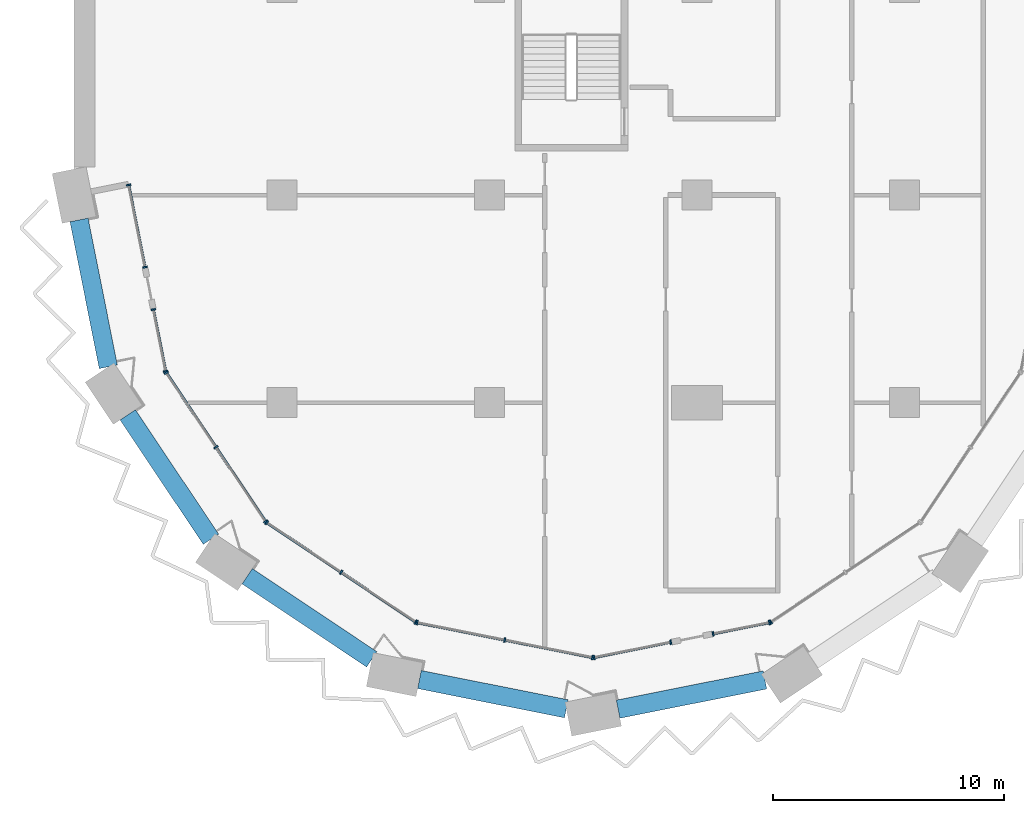
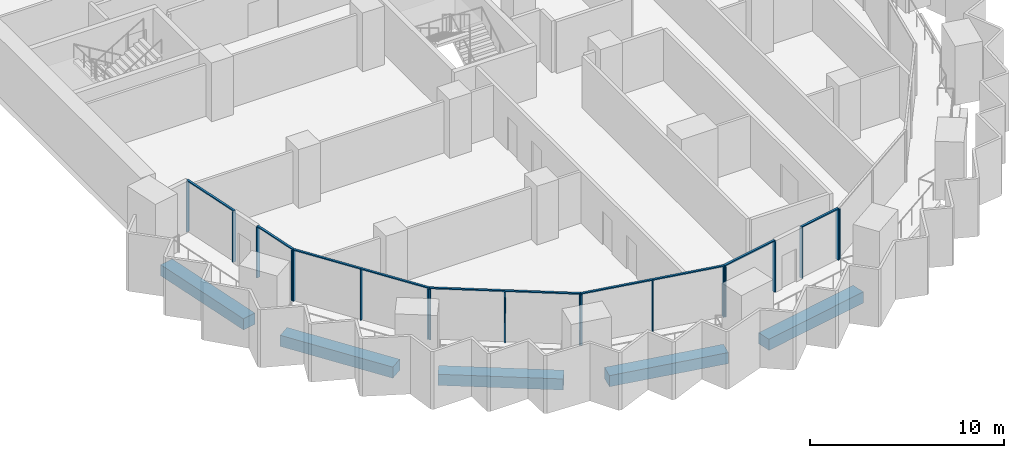
# One storey, part 2 of 23: 25 members, 5 beams, 8 elements without a shape of their own.
"""IFC4 building model written with IfcOpenShell, lengths in metres."""

import ifcopenshell
import ifcopenshell.guid

model = None  # the IFC model being written
_history = None  # IfcOwnerHistory: only IFC2X3 demands one
_inside = {}  # id of a spatial element -> (the spatial element, [elements in it])
_under = {}  # id of a project, library or spatial element -> (it, [spatial elements below it])
_declared = {}  # id of a project -> (the project, [libraries it declares])
_typed = {}  # id of a type object -> (the type object, [elements of that type])
_made_of = {}  # id of a material, layer set ... -> (it, [elements and type objects made of it])


def new_model(schema):
    """Start an empty IFC model of exactly this schema.

    Asked for "IFC4X3", IfcOpenShell would pick the latest addendum, in which some entities
    have other attributes; the version numbers below select the first issue.
    IFC2X3 requires an IfcOwnerHistory on every rooted entity: one is made here for all.
    """
    global model, _history
    if schema == "IFC4X3":
        model = ifcopenshell.file(schema_version=(4, 3, 0, 0))
    else:
        model = ifcopenshell.file(schema=schema)
    _inside.clear()
    _under.clear()
    _declared.clear()
    _typed.clear()
    _made_of.clear()
    _history = None
    if model.schema == "IFC2X3":
        org = make("IfcOrganization", Name="unknown")
        user = make(
            "IfcPersonAndOrganization",
            ThePerson=make("IfcPerson", FamilyName="unknown"),
            TheOrganization=org,
        )
        app = make(
            "IfcApplication",
            ApplicationDeveloper=org,
            Version="unknown",
            ApplicationFullName="unknown",
            ApplicationIdentifier="unknown",
        )
        _history = make(
            "IfcOwnerHistory",
            OwningUser=user,
            OwningApplication=app,
            ChangeAction="ADDED",
            CreationDate=0,
        )
    return model


def make(cls, **values):
    """One entity of the class cls with the attributes given. An attribute that is None is left unset."""
    return model.create_entity(
        cls, **{name: value for name, value in values.items() if value is not None}
    )


def rooted(cls, **values):
    """An entity with a GlobalId (a new one), such as an element, a storey or a relation."""
    return make(cls, GlobalId=ifcopenshell.guid.new(), OwnerHistory=_history, **values)


def si_unit(unit_type, name, prefix=None):
    """IfcSIUnit, for example si_unit("LENGTHUNIT", "METRE", prefix="MILLI")."""
    return make("IfcSIUnit", UnitType=unit_type, Prefix=prefix, Name=name)


def assignment(units):
    """IfcUnitAssignment: the units of a project."""
    return None if units is None else make("IfcUnitAssignment", Units=units)


def point(xyz):
    """IfcCartesianPoint."""
    return None if xyz is None else make("IfcCartesianPoint", Coordinates=xyz)


def direction(xyz):
    """IfcDirection."""
    return None if xyz is None else make("IfcDirection", DirectionRatios=xyz)


def frame(location, z_axis=None, x_axis=None):
    """IfcAxis2Placement3D, a coordinate frame: its origin and axes. An axis left out is left unset."""
    return make(
        "IfcAxis2Placement3D",
        Location=point(location),
        Axis=direction(z_axis),
        RefDirection=direction(x_axis),
    )


def frame_2d(location, x_axis=None):
    """IfcAxis2Placement2D, a coordinate frame in the plane: its origin and x axis."""
    return make(
        "IfcAxis2Placement2D", Location=point(location), RefDirection=direction(x_axis)
    )


def origin():
    """The frame at (0, 0, 0) with its axes left unset."""
    return frame((0.0, 0.0, 0.0))


def origin_2d():
    """The frame at (0, 0) in the plane with its x axis left unset."""
    return frame_2d((0.0, 0.0))


def place(relative_to, where):
    """IfcLocalPlacement: puts the frame where relative to a parent placement (None: the world)."""
    return make(
        "IfcLocalPlacement", PlacementRelTo=relative_to, RelativePlacement=where
    )


def context(
    kind, dimensions, precision=None, world=None, true_north=None, identifier=None
):
    """IfcGeometricRepresentationContext, for example the 3D "Model" context."""
    return make(
        "IfcGeometricRepresentationContext",
        ContextIdentifier=identifier,
        ContextType=kind,
        CoordinateSpaceDimension=dimensions,
        Precision=precision,
        WorldCoordinateSystem=world,
        TrueNorth=true_north,
    )


def subcontext(parent, identifier, kind, view, scale=None):
    """IfcGeometricRepresentationSubContext, for example "Body" below "Model"."""
    return make(
        "IfcGeometricRepresentationSubContext",
        ContextIdentifier=identifier,
        ContextType=kind,
        ParentContext=parent,
        TargetScale=scale,
        TargetView=view,
    )


def project(units=None, contexts=None):
    """IfcProject with its units and contexts."""
    return rooted(
        "IfcProject",
        Name="project",
        RepresentationContexts=contexts,
        UnitsInContext=assignment(units),
    )


def spatial(cls, under=None, at=None, **own):
    """A site, building, storey or space (cls), placed at a placement, below another one or the project."""
    s = rooted(cls, ObjectPlacement=at, **own)
    if under is not None:
        _under.setdefault(under.id(), (under, []))[1].append(s)
    return s


def profile(cls, at=None, kind="AREA", **sizes):
    """A parametric profile (cls). Its sizes go by their IFC names, for example OverallWidth=200.0."""
    return make(cls, ProfileType=kind, Position=at, **sizes)


def rectangle(**sizes):
    """IfcRectangleProfileDef."""
    return profile("IfcRectangleProfileDef", **sizes)


def extrude(swept, where, along, depth):
    """IfcExtrudedAreaSolid: the profile swept, set in the frame where, extruded along a direction by depth."""
    return make(
        "IfcExtrudedAreaSolid",
        SweptArea=swept,
        Position=where,
        ExtrudedDirection=direction(along),
        Depth=depth,
    )


def shape(context_of_items, identifier, shape_type, items):
    """IfcShapeRepresentation: the items that make up one representation, for example the "Body"."""
    return make(
        "IfcShapeRepresentation",
        ContextOfItems=context_of_items,
        RepresentationIdentifier=identifier,
        RepresentationType=shape_type,
        Items=items,
    )


def material(Name=None, Category=None):
    """IfcMaterial."""
    return make("IfcMaterial", Name=Name, Category=Category)


def material_profile(
    of_material, cross_section, Name=None, Category=None, Priority=None
):
    """IfcMaterialProfile: a cross section and its material."""
    return make(
        "IfcMaterialProfile",
        Name=Name,
        Material=of_material,
        Profile=cross_section,
        Priority=Priority,
        Category=Category,
    )


def profile_set(profiles, Name=None, composite=None):
    """IfcMaterialProfileSet."""
    return make(
        "IfcMaterialProfileSet",
        Name=Name,
        MaterialProfiles=profiles,
        CompositeProfile=composite,
    )


def made_of(thing, what):
    """Note that an element or type object is made of a material, layer set ...; save() writes the relation."""
    if what is not None:
        _made_of.setdefault(what.id(), (what, []))[1].append(thing)
    return thing


def type_object(cls, material=None, **own):
    """A type object (cls), such as IfcWallType, which elements share."""
    return made_of(rooted(cls, **own), material)


def element(
    cls,
    number,
    at=None,
    inside=None,
    cuts=None,
    type_object=None,
    material=None,
    context=None,
    identifier="Body",
    shape_type=None,
    held_by="IfcProductDefinitionShape",
    body=None,
    shapes=None,
    **own,
):
    """One element of the class cls, such as IfcWall. Its Tag is "e" and its number.

    at: its placement. inside: the storey or other place that contains it. cuts: it is an
    opening in that element (IfcRelVoidsElement). A single representation is given by context,
    identifier, shape_type and body (its items); several are given by shapes. held_by: the class
    of the entity that holds the representations. save() writes the other relations.
    """
    e = rooted(cls, Tag="e%d" % number, ObjectPlacement=at, **own)
    if body is not None:
        shapes = [shape(context, identifier, shape_type, body)]
    if shapes is not None:
        e.Representation = make(held_by, Representations=shapes)
    if inside is not None:
        _inside.setdefault(inside.id(), (inside, []))[1].append(e)
    if cuts is not None:
        rooted(
            "IfcRelVoidsElement", RelatingBuildingElement=cuts, RelatedOpeningElement=e
        )
    if type_object is not None:
        _typed.setdefault(type_object.id(), (type_object, []))[1].append(e)
    return made_of(e, material)


def aggregate(whole, parts):
    """IfcRelAggregates: a whole, such as a stair, and the parts it consists of."""
    return rooted("IfcRelAggregates", RelatingObject=whole, RelatedObjects=parts)


def save(model, path):
    """Write the relations noted so far, then the file.

    IfcRelAggregates (storeys below a building ...), IfcRelContainedInSpatialStructure (elements
    in a storey), IfcRelDefinesByType, IfcRelAssociatesMaterial and IfcRelDeclares: one each for
    every whole, place, type object, material and project.
    """
    for whole, parts in _under.values():
        aggregate(whole, parts)
    for where, things in _inside.values():
        rooted(
            "IfcRelContainedInSpatialStructure",
            RelatedElements=things,
            RelatingStructure=where,
        )
    for kind, things in _typed.values():
        rooted("IfcRelDefinesByType", RelatedObjects=things, RelatingType=kind)
    for what, things in _made_of.values():
        rooted("IfcRelAssociatesMaterial", RelatedObjects=things, RelatingMaterial=what)
    for by, libraries in _declared.values():
        rooted("IfcRelDeclares", RelatingContext=by, RelatedDefinitions=libraries)
    model.write(path)


model = new_model("IFC4")

# Units and contexts
model_context = context("Model", 3, precision=1e-05, world=origin(), true_north=direction((0.0, 1.0)))
body_context = subcontext(model_context, "Body", "Model", "MODEL_VIEW")
ifc_project = project(units=[si_unit("LENGTHUNIT", "METRE"), si_unit("AREAUNIT", "SQUARE_METRE"), si_unit("VOLUMEUNIT", "CUBIC_METRE"), si_unit("PLANEANGLEUNIT", "RADIAN"), si_unit("MASSUNIT", "GRAM", prefix="KILO")], contexts=[model_context])

# Site, building, storey
site_placement = place(None, origin())
site = spatial("IfcSite", under=ifc_project, at=site_placement, CompositionType="ELEMENT")
building_placement = place(site_placement, origin())
building = spatial("IfcBuilding", under=site, at=building_placement, Name="Hunhe Ridgeline Campus", CompositionType="ELEMENT")
storey_placement = place(building_placement, frame((0.0, 0.0, 125.5)))
storey = spatial("IfcBuildingStorey", under=building, at=storey_placement, Name="L31", CompositionType="ELEMENT", Elevation=125.5)

# Curtain wall, members
ifc_material_1 = material(Name="Aluminium 6063", Category="aluminium")
curtain_wall_type = type_object("IfcCurtainWallType", Name="Curtain wall CW-5", PredefinedType="NOTDEFINED", material=ifc_material_1)
curtain_wall_1_placement = place(storey_placement, origin())
curtain_wall_1 = element("IfcCurtainWall", 1, at=curtain_wall_1_placement, inside=storey, type_object=curtain_wall_type, Name="Curtain wall 01", PredefinedType="NOTDEFINED")
ifc_material_profile_1 = material_profile(ifc_material_1, rectangle(XDim=0.199951171875, YDim=0.070068359375, at=origin_2d()))
ifc_profile_set_1 = profile_set([ifc_material_profile_1], Name="Aluminium 6063")
member_type_1 = type_object("IfcMemberType", Name="CW-5 aluminium mullion", PredefinedType="MULLION", material=ifc_profile_set_1)
member_1_placement = place(storey_placement, frame((2.361572265625, 27.434326171875, 0.0), z_axis=(0.0, 0.0, 1.0), x_axis=(0.980784284924, 0.195095326561, 0.0)))
member_1 = element("IfcMember", 2, at=member_1_placement, type_object=member_type_1, Name="CW-5 mullion 1", PredefinedType="MULLION", context=body_context, shape_type="SweptSolid", body=[
    extrude(rectangle(XDim=0.199951171875, YDim=0.070068359375, at=origin_2d()), origin(), (0.0, 0.0, 1.0), 3.179931640625),
])
member_2_placement = place(storey_placement, frame((3.070068359375, 23.873291015625, 0.0), z_axis=(0.0, 0.0, 1.0), x_axis=(0.980784284924, 0.195095326561, 0.0)))
member_2 = element("IfcMember", 3, at=member_2_placement, type_object=member_type_1, Name="CW-5 mullion 2", PredefinedType="MULLION", context=body_context, shape_type="SweptSolid", body=[
    extrude(rectangle(XDim=0.199951171875, YDim=0.070068359375, at=origin_2d()), origin(), (0.0, 0.0, 1.0), 3.179931640625),
])

curtain_wall_2_placement = place(storey_placement, origin())
curtain_wall_2 = element("IfcCurtainWall", 4, at=curtain_wall_2_placement, inside=storey, type_object=curtain_wall_type, Name="Curtain wall 02", PredefinedType="NOTDEFINED")
member_3_placement = place(storey_placement, frame((3.434814453125, 22.0390625, 0.0), z_axis=(0.0, 0.0, 1.0), x_axis=(0.980784297053, 0.195095265587, 0.0)))
member_3 = element("IfcMember", 5, at=member_3_placement, type_object=member_type_1, Name="CW-5 mullion 1", PredefinedType="MULLION", context=body_context, shape_type="SweptSolid", body=[
    extrude(rectangle(XDim=0.199951171875, YDim=0.070068359375, at=origin_2d()), origin(), (0.0, 0.0, 1.0), 3.179931640625),
])
member_4_placement = place(storey_placement, frame((3.967529296875, 19.36083984375, 0.0), z_axis=(0.0, 0.0, 1.0), x_axis=(0.980784297053, 0.195095265587, 0.0)))
member_4 = element("IfcMember", 6, at=member_4_placement, type_object=member_type_1, Name="CW-5 mullion 2", PredefinedType="MULLION", context=body_context, shape_type="SweptSolid", body=[
    extrude(rectangle(XDim=0.199951171875, YDim=0.070068359375, at=origin_2d()), origin(), (0.0, 0.0, 1.0), 3.179931640625),
])

curtain_wall_3_placement = place(storey_placement, origin())
curtain_wall_3 = element("IfcCurtainWall", 7, at=curtain_wall_3_placement, inside=storey, type_object=curtain_wall_type, Name="Curtain wall 03", PredefinedType="NOTDEFINED")
member_5_placement = place(storey_placement, frame((3.993896484375, 19.29736328125, 0.0), z_axis=(0.0, 0.0, 1.0), x_axis=(0.831469584522, 0.555570274596, 0.0)))
member_5 = element("IfcMember", 8, at=member_5_placement, type_object=member_type_1, Name="CW-5 mullion 1", PredefinedType="MULLION", context=body_context, shape_type="SweptSolid", body=[
    extrude(rectangle(XDim=0.199951171875, YDim=0.070068359375, at=origin_2d()), origin(), (0.0, 0.0, 1.0), 3.179931640625),
])
member_6_placement = place(storey_placement, frame((6.147705078125, 16.07373046875, 0.0), z_axis=(0.0, 0.0, 1.0), x_axis=(0.831469584522, 0.555570274596, 0.0)))
member_6 = element("IfcMember", 9, at=member_6_placement, type_object=member_type_1, Name="CW-5 mullion 2", PredefinedType="MULLION", context=body_context, shape_type="SweptSolid", body=[
    extrude(rectangle(XDim=0.199951171875, YDim=0.070068359375, at=origin_2d()), origin(), (0.0, 0.0, 1.0), 3.179931640625),
])
member_7_placement = place(storey_placement, frame((8.3017578125, 12.850341796875, 0.0), z_axis=(0.0, 0.0, 1.0), x_axis=(0.831469584522, 0.555570274596, 0.0)))
member_7 = element("IfcMember", 10, at=member_7_placement, type_object=member_type_1, Name="CW-5 mullion 3", PredefinedType="MULLION", context=body_context, shape_type="SweptSolid", body=[
    extrude(rectangle(XDim=0.199951171875, YDim=0.070068359375, at=origin_2d()), origin(), (0.0, 0.0, 1.0), 3.179931640625),
])

curtain_wall_4_placement = place(storey_placement, origin())
curtain_wall_4 = element("IfcCurtainWall", 11, at=curtain_wall_4_placement, inside=storey, type_object=curtain_wall_type, Name="Curtain wall 04", PredefinedType="NOTDEFINED")
member_8_placement = place(storey_placement, frame((8.350341796875, 12.8017578125, 0.0), z_axis=(0.0, 0.0, 1.0), x_axis=(0.555570274596, 0.831469584522, 0.0)))
member_8 = element("IfcMember", 12, at=member_8_placement, type_object=member_type_1, Name="CW-5 mullion 1", PredefinedType="MULLION", context=body_context, shape_type="SweptSolid", body=[
    extrude(rectangle(XDim=0.199951171875, YDim=0.070068359375, at=origin_2d()), origin(), (0.0, 0.0, 1.0), 3.179931640625),
])
member_9_placement = place(storey_placement, frame((11.57373046875, 10.647705078125, 0.0), z_axis=(0.0, 0.0, 1.0), x_axis=(0.555570274596, 0.831469584522, 0.0)))
member_9 = element("IfcMember", 13, at=member_9_placement, type_object=member_type_1, Name="CW-5 mullion 2", PredefinedType="MULLION", context=body_context, shape_type="SweptSolid", body=[
    extrude(rectangle(XDim=0.199951171875, YDim=0.070068359375, at=origin_2d()), origin(), (0.0, 0.0, 1.0), 3.179931640625),
])
member_10_placement = place(storey_placement, frame((14.79736328125, 8.493896484375, 0.0), z_axis=(0.0, 0.0, 1.0), x_axis=(0.555570274596, 0.831469584522, 0.0)))
member_10 = element("IfcMember", 14, at=member_10_placement, type_object=member_type_1, Name="CW-5 mullion 3", PredefinedType="MULLION", context=body_context, shape_type="SweptSolid", body=[
    extrude(rectangle(XDim=0.199951171875, YDim=0.070068359375, at=origin_2d()), origin(), (0.0, 0.0, 1.0), 3.179931640625),
])

curtain_wall_5_placement = place(storey_placement, origin())
curtain_wall_5 = element("IfcCurtainWall", 15, at=curtain_wall_5_placement, inside=storey, type_object=curtain_wall_type, Name="Curtain wall 05", PredefinedType="NOTDEFINED")
member_11_placement = place(storey_placement, frame((14.86083984375, 8.467529296875, 0.0), z_axis=(0.0, 0.0, 1.0), x_axis=(0.195090347539, 0.980785275326, 0.0)))
member_11 = element("IfcMember", 16, at=member_11_placement, type_object=member_type_1, Name="CW-5 mullion 1", PredefinedType="MULLION", context=body_context, shape_type="SweptSolid", body=[
    extrude(rectangle(XDim=0.199951171875, YDim=0.070068359375, at=origin_2d()), origin(), (0.0, 0.0, 1.0), 3.179931640625),
])
member_12_placement = place(storey_placement, frame((18.663330078125, 7.711181640625, 0.0), z_axis=(0.0, 0.0, 1.0), x_axis=(0.195090347539, 0.980785275326, 0.0)))
member_12 = element("IfcMember", 17, at=member_12_placement, type_object=member_type_1, Name="CW-5 mullion 2", PredefinedType="MULLION", context=body_context, shape_type="SweptSolid", body=[
    extrude(rectangle(XDim=0.199951171875, YDim=0.070068359375, at=origin_2d()), origin(), (0.0, 0.0, 1.0), 3.179931640625),
])
member_13_placement = place(storey_placement, frame((22.465576171875, 6.954833984375, 0.0), z_axis=(0.0, 0.0, 1.0), x_axis=(0.195090347539, 0.980785275326, 0.0)))
member_13 = element("IfcMember", 18, at=member_13_placement, type_object=member_type_1, Name="CW-5 mullion 3", PredefinedType="MULLION", context=body_context, shape_type="SweptSolid", body=[
    extrude(rectangle(XDim=0.199951171875, YDim=0.070068359375, at=origin_2d()), origin(), (0.0, 0.0, 1.0), 3.179931640625),
])

curtain_wall_6_placement = place(storey_placement, origin())
curtain_wall_6 = element("IfcCurtainWall", 19, at=curtain_wall_6_placement, inside=storey, type_object=curtain_wall_type, Name="Curtain wall 06", PredefinedType="NOTDEFINED")
member_14_placement = place(storey_placement, frame((22.534423828125, 6.954833984375, 0.0), z_axis=(0.0, 0.0, 1.0), x_axis=(-0.19509037034, 0.980785270791, 0.0)))
member_14 = element("IfcMember", 20, at=member_14_placement, type_object=member_type_1, Name="CW-5 mullion 1", PredefinedType="MULLION", context=body_context, shape_type="SweptSolid", body=[
    extrude(rectangle(XDim=0.199951171875, YDim=0.070068359375, at=origin_2d()), origin(), (0.0, 0.0, 1.0), 3.179931640625),
])
member_15_placement = place(storey_placement, frame((25.861083984375, 7.61669921875, 0.0), z_axis=(0.0, 0.0, 1.0), x_axis=(-0.19509037034, 0.980785270791, 0.0)))
member_15 = element("IfcMember", 21, at=member_15_placement, type_object=member_type_1, Name="CW-5 mullion 2", PredefinedType="MULLION", context=body_context, shape_type="SweptSolid", body=[
    extrude(rectangle(XDim=0.199951171875, YDim=0.070068359375, at=origin_2d()), origin(), (0.0, 0.0, 1.0), 3.179931640625),
])

curtain_wall_7_placement = place(storey_placement, origin())
curtain_wall_7 = element("IfcCurtainWall", 22, at=curtain_wall_7_placement, inside=storey, type_object=curtain_wall_type, Name="Curtain wall 07", PredefinedType="NOTDEFINED")
member_16_placement = place(storey_placement, frame((27.695068359375, 7.9814453125, 0.0), z_axis=(0.0, 0.0, 1.0), x_axis=(-0.195090514627, 0.980785242091, 0.0)))
member_16 = element("IfcMember", 23, at=member_16_placement, type_object=member_type_1, Name="CW-5 mullion 1", PredefinedType="MULLION", context=body_context, shape_type="SweptSolid", body=[
    extrude(rectangle(XDim=0.199951171875, YDim=0.070068359375, at=origin_2d()), origin(), (0.0, 0.0, 1.0), 3.179931640625),
])
member_17_placement = place(storey_placement, frame((30.13916015625, 8.467529296875, 0.0), z_axis=(0.0, 0.0, 1.0), x_axis=(-0.195090514627, 0.980785242091, 0.0)))
member_17 = element("IfcMember", 24, at=member_17_placement, type_object=member_type_1, Name="CW-5 mullion 2", PredefinedType="MULLION", context=body_context, shape_type="SweptSolid", body=[
    extrude(rectangle(XDim=0.199951171875, YDim=0.070068359375, at=origin_2d()), origin(), (0.0, 0.0, 1.0), 3.179931640625),
])

# Curtain wall, member
curtain_wall_8_placement = place(storey_placement, origin())
curtain_wall_8 = element("IfcCurtainWall", 25, at=curtain_wall_8_placement, inside=storey, type_object=curtain_wall_type, Name="Curtain wall 08", PredefinedType="NOTDEFINED")
member_18_placement = place(storey_placement, frame((30.20263671875, 8.493896484375, 0.0), z_axis=(0.0, 0.0, 1.0), x_axis=(-0.555570274596, 0.831469584522, 0.0)))
member_18 = element("IfcMember", 26, at=member_18_placement, type_object=member_type_1, Name="CW-5 mullion 1", PredefinedType="MULLION", context=body_context, shape_type="SweptSolid", body=[
    extrude(rectangle(XDim=0.199951171875, YDim=0.070068359375, at=origin_2d()), origin(), (0.0, 0.0, 1.0), 3.179931640625),
])
aggregate(curtain_wall_8, [member_18])

# Member
ifc_material_profile_2 = material_profile(ifc_material_1, rectangle(XDim=0.1201171875, YDim=0.070068359375, at=origin_2d()))
ifc_profile_set_2 = profile_set([ifc_material_profile_2], Name="Aluminium 6063")
member_type_2 = type_object("IfcMemberType", Name="CW-5 aluminium transom", PredefinedType="USERDEFINED", material=ifc_profile_set_2)
member_19_placement = place(storey_placement, frame((2.354736328125, 27.46875, 3.215087890625), z_axis=(0.195126549745, -0.980778073564, 0.0), x_axis=(0.980778073564, 0.195126549745, 0.0)))
member_19 = element("IfcMember", 27, at=member_19_placement, type_object=member_type_2, Name="CW-5 transom 1", ObjectType="TRANSOM", PredefinedType="USERDEFINED", context=body_context, shape_type="SweptSolid", body=[
    extrude(rectangle(XDim=0.1201171875, YDim=0.070068359375, at=origin_2d()), origin(), (0.0, 0.0, 1.0), 3.700927734375),
])

aggregate(curtain_wall_1, [member_19, member_1, member_2])

member_20_placement = place(storey_placement, frame((3.427978515625, 22.073486328125, 3.215087890625), z_axis=(0.195076742145, -0.98078798151, 0.0), x_axis=(0.98078798151, 0.195076742145, 0.0)))
member_20 = element("IfcMember", 28, at=member_20_placement, type_object=member_type_2, Name="CW-5 transom 1", ObjectType="TRANSOM", PredefinedType="USERDEFINED", context=body_context, shape_type="SweptSolid", body=[
    extrude(rectangle(XDim=0.1201171875, YDim=0.070068359375, at=origin_2d()), origin(), (0.0, 0.0, 1.0), 2.80078125),
])

aggregate(curtain_wall_2, [member_20, member_3, member_4])

member_21_placement = place(storey_placement, frame((3.974365234375, 19.326416015625, 3.215087890625), z_axis=(0.5555640203, -0.831473763475, 0.0), x_axis=(0.831473763475, 0.5555640203, 0.0)))
member_21 = element("IfcMember", 29, at=member_21_placement, type_object=member_type_2, Name="CW-5 transom 1", ObjectType="TRANSOM", PredefinedType="USERDEFINED", context=body_context, shape_type="SweptSolid", body=[
    extrude(rectangle(XDim=0.1201171875, YDim=0.070068359375, at=origin_2d()), origin(), (0.0, 0.0, 1.0), 7.823974609375),
])

aggregate(curtain_wall_3, [member_21, member_5, member_6, member_7])

member_22_placement = place(storey_placement, frame((8.321044921875, 12.821044921875, 3.215087890625), z_axis=(0.831473763475, -0.5555640203, 0.0), x_axis=(0.5555640203, 0.831473763475, 0.0)))
member_22 = element("IfcMember", 30, at=member_22_placement, type_object=member_type_2, Name="CW-5 transom 1", ObjectType="TRANSOM", PredefinedType="USERDEFINED", context=body_context, shape_type="SweptSolid", body=[
    extrude(rectangle(XDim=0.1201171875, YDim=0.070068359375, at=origin_2d()), origin(), (0.0, 0.0, 1.0), 7.823974609375),
])

aggregate(curtain_wall_4, [member_22, member_8, member_9, member_10])

member_23_placement = place(storey_placement, frame((14.826416015625, 8.474365234375, 3.215087890625), z_axis=(0.980785367689, -0.195089883198, 0.0), x_axis=(0.195089883198, 0.980785367689, 0.0)))
member_23 = element("IfcMember", 31, at=member_23_placement, type_object=member_type_2, Name="CW-5 transom 1", ObjectType="TRANSOM", PredefinedType="USERDEFINED", context=body_context, shape_type="SweptSolid", body=[
    extrude(rectangle(XDim=0.1201171875, YDim=0.070068359375, at=origin_2d()), origin(), (0.0, 0.0, 1.0), 7.823974609375),
])

aggregate(curtain_wall_5, [member_23, member_11, member_12, member_13])

member_24_placement = place(storey_placement, frame((22.5, 6.947998046875, 3.215087890625), z_axis=(0.980778171596, 0.195126057004, 0.0), x_axis=(-0.195126057004, 0.980778171596, 0.0)))
member_24 = element("IfcMember", 32, at=member_24_placement, type_object=member_type_2, Name="CW-5 transom 1", ObjectType="TRANSOM", PredefinedType="USERDEFINED", context=body_context, shape_type="SweptSolid", body=[
    extrude(rectangle(XDim=0.1201171875, YDim=0.070068359375, at=origin_2d()), origin(), (0.0, 0.0, 1.0), 3.462158203125),
])

aggregate(curtain_wall_6, [member_24, member_14, member_15])

member_25_placement = place(storey_placement, frame((27.660888671875, 7.974609375, 3.215087890625), z_axis=(0.980789038007, 0.195071430315, 0.0), x_axis=(-0.195071430315, 0.980789038007, 0.0)))
member_25 = element("IfcMember", 33, at=member_25_placement, type_object=member_type_2, Name="CW-5 transom 1", ObjectType="TRANSOM", PredefinedType="USERDEFINED", context=body_context, shape_type="SweptSolid", body=[
    extrude(rectangle(XDim=0.1201171875, YDim=0.070068359375, at=origin_2d()), origin(), (0.0, 0.0, 1.0), 2.56201171875),
])

aggregate(curtain_wall_7, [member_25, member_16, member_17])

# Beams
ifc_material_2 = material(Name="Concrete C60", Category="concrete")
ifc_material_profile_3 = material_profile(ifc_material_2, rectangle(XDim=0.800048828125, YDim=0.699951171875, at=origin_2d()))
ifc_profile_set_3 = profile_set([ifc_material_profile_3], Name="Concrete C60")
beam_type = type_object("IfcBeamType", Name="RC spandrel beam 800x700 Concrete C60", PredefinedType="SPANDREL", material=ifc_profile_set_3)
for number, where, z_axis, x_axis, name in (
    (34, (0.214599609375, 25.921142578125, -0.60009765625), (0.195095759636, -0.980784198778, 0.0), (0.980784198778, 0.195095759636, 0.0), "Spandrel beam B1-1 L31"),
    (35, (2.32373046875, 17.47509765625, -0.60009765625), (0.555585540178, -0.831459384183, 0.0), (0.831459384183, 0.555585540178, 0.0), "Spandrel beam B1-2 L31"),
    (36, (7.504638671875, 10.47900390625, -0.60009765625), (0.831476765351, -0.555559527577, 0.0), (0.555559527577, 0.831476765351, 0.0), "Spandrel beam B1-3 L31"),
    (37, (14.968505859375, 5.998046875, -0.60009765625), (0.980784198778, -0.195095759636, 0.0), (0.195095759636, 0.980784198778, 0.0), "Spandrel beam B1-4 L31"),
    (38, (23.578857421875, 4.714599609375, -0.60009765625), (0.980784198778, 0.195095759636, 0.0), (-0.195095759636, 0.980784198778, 0.0), "Spandrel beam B1-5 L31"),
):
    element("IfcBeam", number, at=place(storey_placement, frame(where, z_axis=z_axis, x_axis=x_axis)), inside=storey, type_object=beam_type, Name=name, PredefinedType="SPANDREL", context=body_context, shape_type="SweptSolid", body=[
        extrude(rectangle(XDim=0.800048828125, YDim=0.699951171875, at=origin_2d()), origin(), (0.0, 0.0, 1.0), 6.488525390625),
    ])

save(model, "model.ifc")
